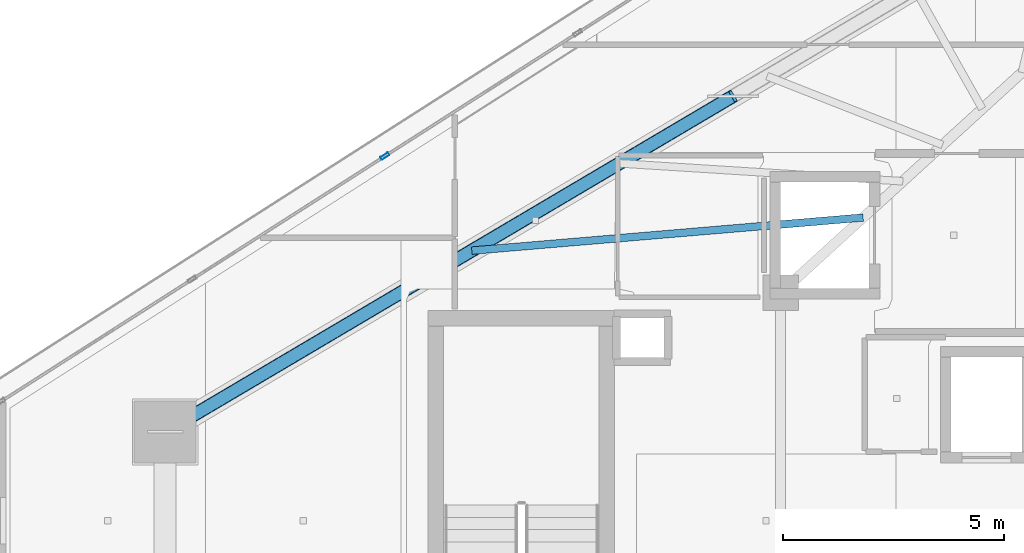
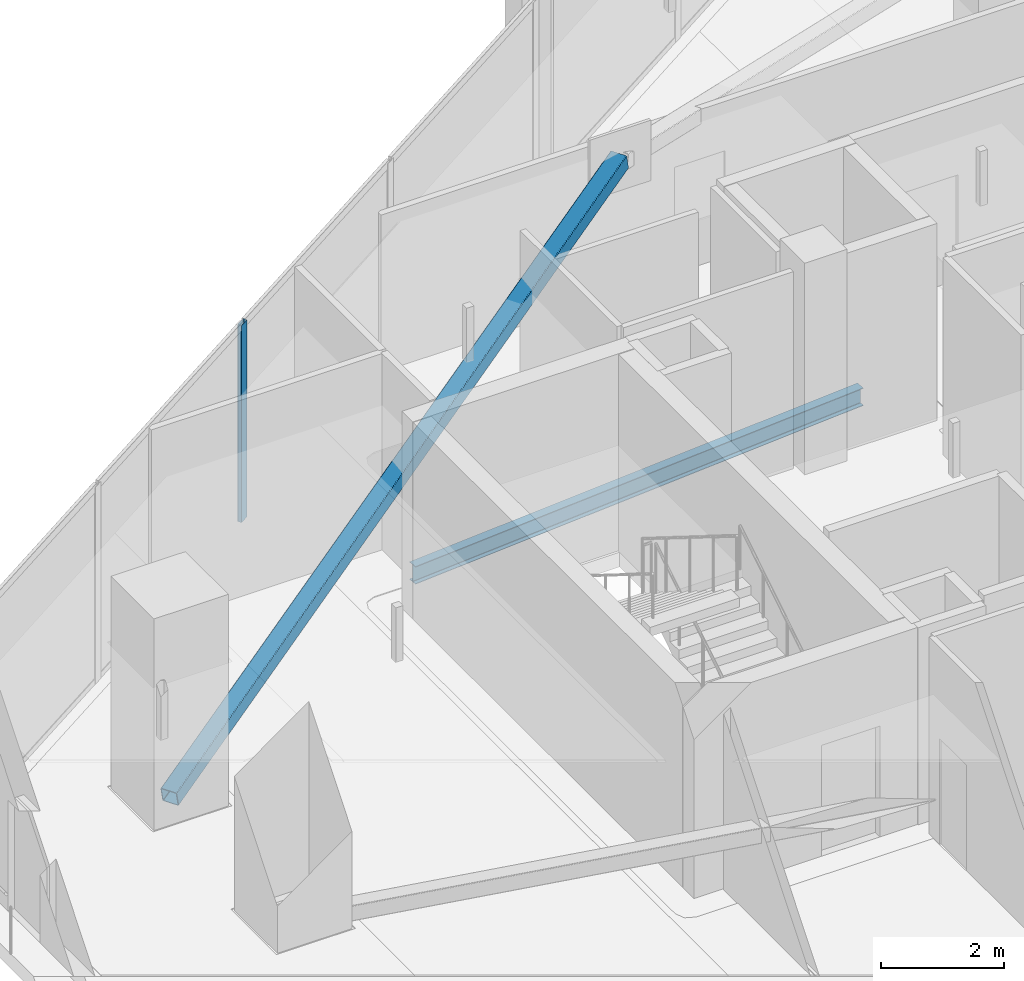
# One storey, part 7 of 25: 2 members, 1 beam, 1 element without a shape of its own.
"""IFC4 building model written with IfcOpenShell, lengths in metres."""

from ifc_helpers import new_model, si_unit, direction, frame, origin, origin_2d, place, context, subcontext, project, spatial, hollow_rectangle, i_section, extrude, material, layer, layer_set, material_profile, profile_set, type_object, element, aggregate, save


model = new_model("IFC4")

# Units and contexts
model_context = context("Model", 3, precision=1e-05, world=origin(), true_north=direction((0.0, 1.0)))
body_context = subcontext(model_context, "Body", "Model", "MODEL_VIEW")
ifc_project = project(units=[si_unit("LENGTHUNIT", "METRE"), si_unit("AREAUNIT", "SQUARE_METRE"), si_unit("VOLUMEUNIT", "CUBIC_METRE"), si_unit("PLANEANGLEUNIT", "RADIAN"), si_unit("MASSUNIT", "GRAM", prefix="KILO")], contexts=[model_context])

# Site, building, storey
site_placement = place(None, origin())
site = spatial("IfcSite", under=ifc_project, at=site_placement, CompositionType="ELEMENT")
building_placement = place(site_placement, origin())
building = spatial("IfcBuilding", under=site, at=building_placement, Name="Qorvath Tower", CompositionType="ELEMENT")
storey_placement = place(building_placement, frame((0.0, 0.0, 314.39990234375)))
storey = spatial("IfcBuildingStorey", under=building, at=storey_placement, Name="L73", CompositionType="ELEMENT", Elevation=314.39990234375)

# Beam
ifc_material_1 = material(Name="Steel ASTM A992 Grade 50", Category="steel")
ifc_material_profile_1 = material_profile(ifc_material_1, i_section(OverallWidth=0.1708984375, OverallDepth=0.35107421875, WebThickness=0.0068359375, FlangeThickness=0.009765625, FilletRadius=0.010009765625, at=origin_2d()), Name="W14x30")
ifc_profile_set_1 = profile_set([ifc_material_profile_1], Name="Steel ASTM A992 Grade 50")
beam_type = type_object("IfcBeamType", Name="BM-FJ4", PredefinedType="JOIST", material=ifc_profile_set_1)
beam_placement = place(storey_placement, frame((-28.636962890625, 6.85107421875, -0.46533203125), z_axis=(-0.996436150147, -0.084350451576, 0.0), x_axis=(0.084350451576, -0.996436150147, 0.0)))
element("IfcBeam", 1, at=beam_placement, inside=storey, type_object=beam_type, Name="Composite Floor Joist NW2 L73", PredefinedType="JOIST", context=body_context, shape_type="SweptSolid", body=[
    extrude(i_section(OverallWidth=0.1708984375, OverallDepth=0.35107421875, WebThickness=0.0068359375, FlangeThickness=0.009765625, FilletRadius=0.010009765625, at=origin_2d()), origin(), (0.0, 0.0, 1.0), 8.87109375),
])

# Curtain wall, member
ifc_material_2 = material(Name="Anodised aluminium and triple low-E glass", Category="aluminium")
ifc_layer = layer(ifc_material_2, 0.179931640625)
ifc_layer_set = layer_set([ifc_layer], Name="CW-SYS-4")
curtain_wall_type = type_object("IfcCurtainWallType", Name="CW-SYS-4", PredefinedType="NOTDEFINED", material=ifc_layer_set)
curtain_wall_placement = place(storey_placement, origin())
curtain_wall = element("IfcCurtainWall", 2, at=curtain_wall_placement, inside=storey, type_object=curtain_wall_type, Name="Curtain Wall CW-4 CW-T-L73-16.2", PredefinedType="NOTDEFINED")
ifc_material_3 = material(Name="Anodised aluminium 6063-T6", Category="aluminium")
ifc_material_profile_2 = material_profile(ifc_material_3, hollow_rectangle(XDim=0.074951171875, YDim=0.199951171875, WallThickness=0.00390625, InnerFilletRadius=0.00390625, OuterFilletRadius=0.008056640625, at=origin_2d()), Name="CWM 200x75")
ifc_profile_set_2 = profile_set([ifc_material_profile_2], Name="Anodised aluminium 6063-T6")
member_type_1 = type_object("IfcMemberType", Name="CWM-200", PredefinedType="MULLION", material=ifc_profile_set_2)
member_1_placement = place(storey_placement, frame((-39.4384765625, 8.238525390625, 0.0), z_axis=(0.0, 0.0, 1.0), x_axis=(0.538529844016, -0.842606436662, 0.0)))
member_1 = element("IfcMember", 3, at=member_1_placement, type_object=member_type_1, Name="CW-4 mullion 3", PredefinedType="MULLION", context=body_context, shape_type="SweptSolid", body=[
    extrude(hollow_rectangle(XDim=0.074951171875, YDim=0.199951171875, WallThickness=0.00390625, InnerFilletRadius=0.00390625, OuterFilletRadius=0.008056640625, at=origin_2d()), origin(), (0.0, 0.0, 1.0), 3.91015625),
])
aggregate(curtain_wall, [member_1])

# Member
ifc_material_4 = material(Name="Steel ASTM A500 Grade C", Category="steel")
ifc_material_profile_3 = material_profile(ifc_material_4, hollow_rectangle(XDim=0.3046875, YDim=0.3046875, WallThickness=0.0126953125, InnerFilletRadius=0.0126953125, OuterFilletRadius=0.025390625, at=origin_2d()), Name="HSS 305x305x12.7")
ifc_profile_set_3 = profile_set([ifc_material_profile_3], Name="Steel ASTM A500 Grade C")
member_type_2 = type_object("IfcMemberType", Name="MEM-MB3", PredefinedType="BRACE", material=ifc_profile_set_3)
member_2_placement = place(storey_placement, frame((-44.402587890625, 2.007568359375, 0.0), z_axis=(0.837211186209, 0.495043842931, 0.232398414933), x_axis=(-0.508979354273, 0.860778727039, 0.0)))
element("IfcMember", 4, at=member_2_placement, inside=storey, type_object=member_type_2, Name="Perimeter Chevron Brace L73-1B", PredefinedType="BRACE", context=body_context, shape_type="SweptSolid", body=[
    extrude(hollow_rectangle(XDim=0.3046875, YDim=0.3046875, WallThickness=0.0126953125, InnerFilletRadius=0.0126953125, OuterFilletRadius=0.025390625, at=origin_2d()), origin(), (0.0, 0.0, 1.0), 15.31982421875),
])

save(model, "model.ifc")
